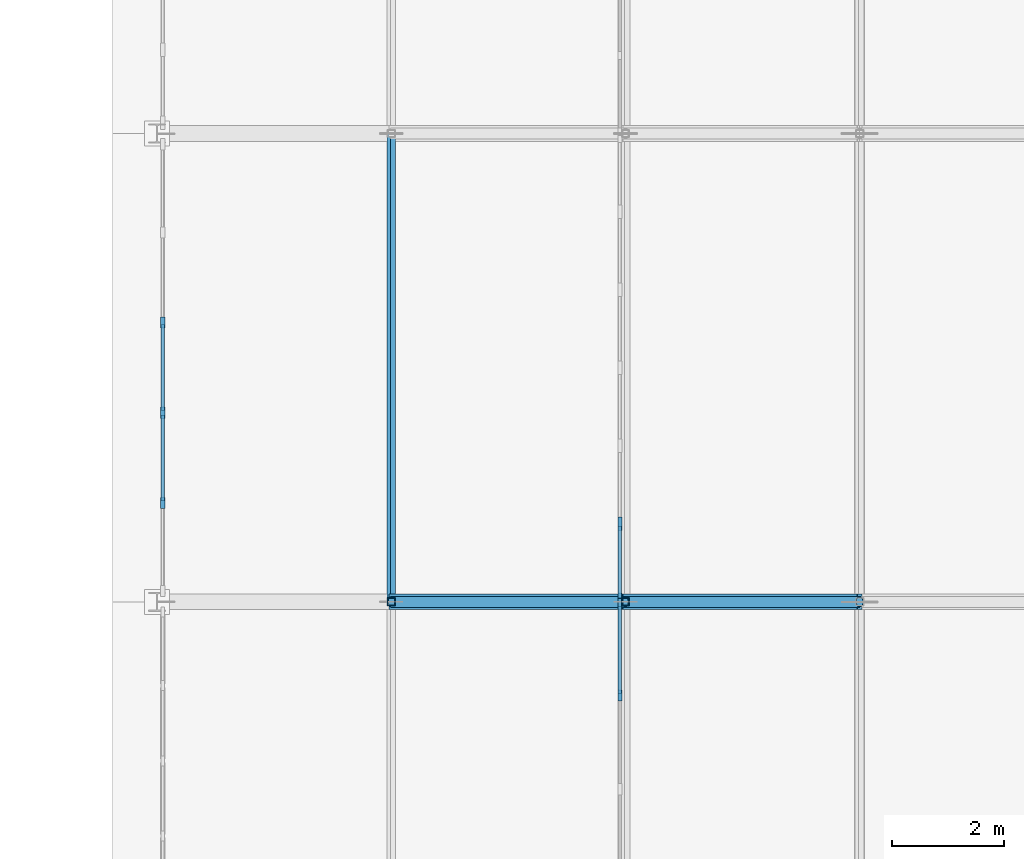
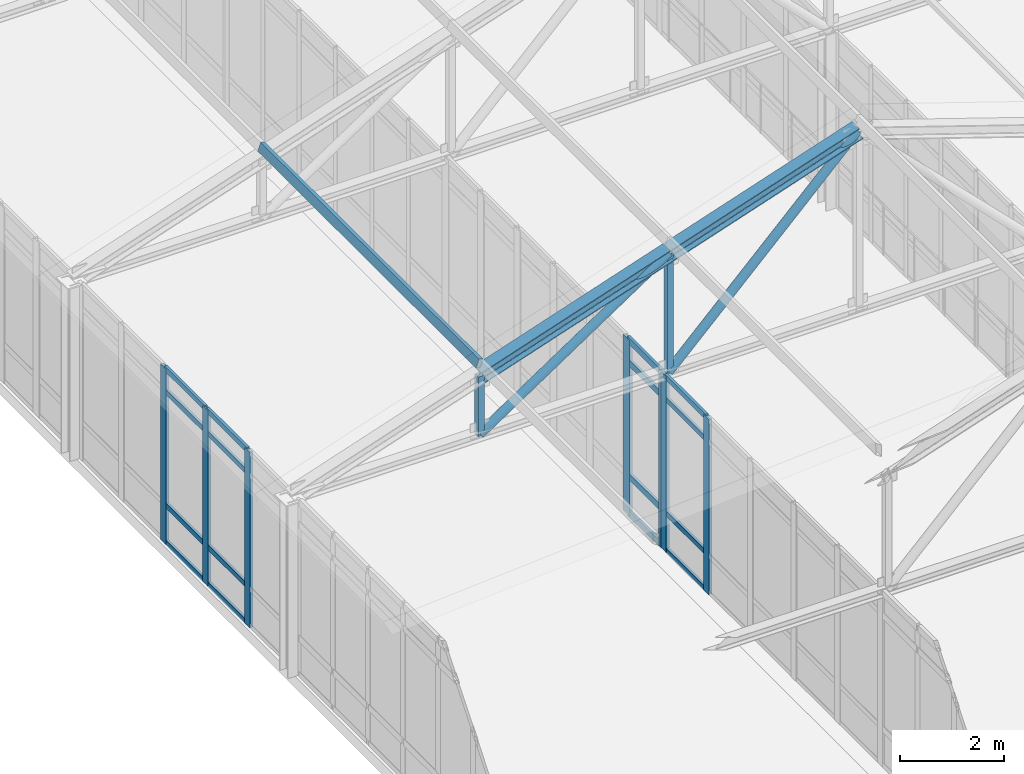
# One storey, part 50 of 192: 30 members, 3 elements without a shape of their own.
"""IFC4 building model written with IfcOpenShell, lengths in metres."""

from ifc_helpers import new_model, si_unit, direction, frame, origin, origin_2d, place, context, subcontext, project, spatial, rectangle, hollow_rectangle, hollow_circle, i_section, extrude, material, layer, layer_set, material_profile, profile_set, type_object, element, aggregate, save


model = new_model("IFC4")

# Units and contexts
model_context = context("Model", 3, precision=1e-05, world=origin(), true_north=direction((0.0, 1.0)))
body_context = subcontext(model_context, "Body", "Model", "MODEL_VIEW")
ifc_project = project(units=[si_unit("LENGTHUNIT", "METRE"), si_unit("AREAUNIT", "SQUARE_METRE"), si_unit("VOLUMEUNIT", "CUBIC_METRE"), si_unit("PLANEANGLEUNIT", "RADIAN"), si_unit("MASSUNIT", "GRAM", prefix="KILO")], contexts=[model_context])

# Site, building, storey
site_placement = place(None, origin())
site = spatial("IfcSite", under=ifc_project, at=site_placement, CompositionType="ELEMENT")
building_placement = place(site_placement, origin())
building = spatial("IfcBuilding", under=site, at=building_placement, Name="Kveldsbrygga Polytechnic", CompositionType="ELEMENT")
storey_placement = place(building_placement, frame((0.0, 0.0, 5.43994140625)))
storey = spatial("IfcBuildingStorey", under=building, at=storey_placement, Name="L01", CompositionType="ELEMENT", Elevation=5.43994140625)

# Curtain wall, members
ifc_material_1 = material(Name="Anodised aluminium AW-6060", Category="aluminium")
ifc_layer_1 = layer(ifc_material_1, 0.18994140625)
ifc_layer_set_1 = layer_set([ifc_layer_1], Name="Anodised aluminium AW-6060")
curtain_wall_type_1 = type_object("IfcCurtainWallType", Name="CW-REFC-G", PredefinedType="USERDEFINED", material=ifc_layer_set_1)
curtain_wall_1_placement = place(storey_placement, origin())
curtain_wall_1 = element("IfcCurtainWall", 1, at=curtain_wall_1_placement, inside=storey, type_object=curtain_wall_type_1, Name="Curtain Wall CW-L01-Y-07-05", ObjectType="UNITISED CURTAIN WALL", PredefinedType="USERDEFINED")
ifc_material_profile_1 = material_profile(ifc_material_1, rectangle(XDim=0.074951171875, YDim=0.199951171875, at=origin_2d()), Name="ALU 75x200")
ifc_profile_set_1 = profile_set([ifc_material_profile_1], Name="Anodised aluminium AW-6060")
member_type_1 = type_object("IfcMemberType", Name="CW-MUL-200", PredefinedType="MULLION", material=ifc_profile_set_1)
member_1_placement = place(storey_placement, frame((58.699951171875, 48.719970703125, 0.0), z_axis=(0.0, 0.0, 1.0), x_axis=(-1.0, 0.0, 0.0)))
member_1 = element("IfcMember", 2, at=member_1_placement, type_object=member_type_1, Name="CW-07 mullion 5", PredefinedType="MULLION", context=body_context, shape_type="SweptSolid", body=[
    extrude(rectangle(XDim=0.074951171875, YDim=0.199951171875, at=origin_2d()), origin(), (0.0, 0.0, 1.0), 4.1201171875),
])
member_2_placement = place(storey_placement, frame((58.699951171875, 50.362548828125, 0.0), z_axis=(0.0, 0.0, 1.0), x_axis=(-1.0, 0.0, 0.0)))
member_2 = element("IfcMember", 3, at=member_2_placement, type_object=member_type_1, Name="CW-07 mullion 6", PredefinedType="MULLION", context=body_context, shape_type="SweptSolid", body=[
    extrude(rectangle(XDim=0.074951171875, YDim=0.199951171875, at=origin_2d()), origin(), (0.0, 0.0, 1.0), 4.1201171875),
])

curtain_wall_2_placement = place(storey_placement, origin())
curtain_wall_2 = element("IfcCurtainWall", 4, at=curtain_wall_2_placement, inside=storey, type_object=curtain_wall_type_1, Name="Curtain Wall CW-L01-Y-06-06", ObjectType="UNITISED CURTAIN WALL", PredefinedType="USERDEFINED")
member_3_placement = place(storey_placement, frame((50.5, 52.173095703125, 0.0), z_axis=(0.0, 0.0, 1.0), x_axis=(-1.0, 0.0, 0.0)))
member_3 = element("IfcMember", 5, at=member_3_placement, type_object=member_type_1, Name="CW-07 mullion 2", PredefinedType="MULLION", context=body_context, shape_type="SweptSolid", body=[
    extrude(rectangle(XDim=0.074951171875, YDim=0.199951171875, at=origin_2d()), origin(), (0.0, 0.0, 1.0), 4.1201171875),
])
member_4_placement = place(storey_placement, frame((50.5, 53.791015625, 0.0), z_axis=(0.0, 0.0, 1.0), x_axis=(-1.0, 0.0, 0.0)))
member_4 = element("IfcMember", 6, at=member_4_placement, type_object=member_type_1, Name="CW-07 mullion 3", PredefinedType="MULLION", context=body_context, shape_type="SweptSolid", body=[
    extrude(rectangle(XDim=0.074951171875, YDim=0.199951171875, at=origin_2d()), origin(), (0.0, 0.0, 1.0), 4.1201171875),
])
member_5_placement = place(storey_placement, frame((50.5, 55.408935546875, 0.0), z_axis=(0.0, 0.0, 1.0), x_axis=(-1.0, 0.0, 0.0)))
member_5 = element("IfcMember", 7, at=member_5_placement, type_object=member_type_1, Name="CW-07 mullion 4", PredefinedType="MULLION", context=body_context, shape_type="SweptSolid", body=[
    extrude(rectangle(XDim=0.074951171875, YDim=0.199951171875, at=origin_2d()), origin(), (0.0, 0.0, 1.0), 4.1201171875),
])

ifc_layer_2 = layer(ifc_material_1, 0.2099609375)
ifc_layer_set_2 = layer_set([ifc_layer_2], Name="Anodised aluminium AW-6060")
curtain_wall_type_2 = type_object("IfcCurtainWallType", Name="CW-LIBR-H", PredefinedType="USERDEFINED", material=ifc_layer_set_2)
curtain_wall_3_placement = place(storey_placement, origin())
curtain_wall_3 = element("IfcCurtainWall", 8, at=curtain_wall_3_placement, inside=storey, type_object=curtain_wall_type_2, Name="Curtain Wall CW-L01-Y-07-06", ObjectType="UNITISED CURTAIN WALL", PredefinedType="USERDEFINED")
ifc_material_profile_2 = material_profile(ifc_material_1, rectangle(XDim=0.074951171875, YDim=0.239990234375, at=origin_2d()), Name="ALU 75x240")
ifc_profile_set_2 = profile_set([ifc_material_profile_2], Name="Anodised aluminium AW-6060")
member_type_2 = type_object("IfcMemberType", Name="CW-MUL-240", PredefinedType="MULLION", material=ifc_profile_set_2)
member_6_placement = place(storey_placement, frame((58.699951171875, 50.4375, 0.0), z_axis=(0.0, 0.0, 1.0), x_axis=(-1.0, 0.0, 0.0)))
member_6 = element("IfcMember", 9, at=member_6_placement, type_object=member_type_2, Name="CW-08 mullion 1", PredefinedType="MULLION", context=body_context, shape_type="SweptSolid", body=[
    extrude(rectangle(XDim=0.074951171875, YDim=0.239990234375, at=origin_2d()), origin(), (0.0, 0.0, 1.0), 4.1201171875),
])
member_7_placement = place(storey_placement, frame((58.699951171875, 51.800048828125, 0.0), z_axis=(0.0, 0.0, 1.0), x_axis=(-1.0, 0.0, 0.0)))
member_7 = element("IfcMember", 10, at=member_7_placement, type_object=member_type_2, Name="CW-08 mullion 2", PredefinedType="MULLION", context=body_context, shape_type="SweptSolid", body=[
    extrude(rectangle(XDim=0.074951171875, YDim=0.239990234375, at=origin_2d()), origin(), (0.0, 0.0, 1.0), 4.1201171875),
])

# Member
ifc_material_profile_3 = material_profile(ifc_material_1, rectangle(XDim=0.06005859375, YDim=0.1201171875, at=origin_2d()), Name="ALU 60x120")
ifc_profile_set_3 = profile_set([ifc_material_profile_3], Name="Anodised aluminium AW-6060")
member_type_3 = type_object("IfcMemberType", Name="CW-TRN-120", PredefinedType="USERDEFINED", material=ifc_profile_set_3)
member_8_placement = place(storey_placement, frame((58.699951171875, 48.757568359375, 0.030029296875), z_axis=(0.0, 1.0, 0.0), x_axis=(-1.0, 0.0, 0.0)))
member_8 = element("IfcMember", 11, at=member_8_placement, type_object=member_type_3, Name="CW-07 transom 5.1", ObjectType="TRANSOM", PredefinedType="USERDEFINED", context=body_context, shape_type="SweptSolid", body=[
    extrude(rectangle(XDim=0.06005859375, YDim=0.1201171875, at=origin_2d()), origin(), (0.0, 0.0, 1.0), 1.5673828125),
])

member_9_placement = place(storey_placement, frame((58.699951171875, 48.757568359375, 0.900146484375), z_axis=(0.0, 1.0, 0.0), x_axis=(-1.0, 0.0, 0.0)))
member_9 = element("IfcMember", 12, at=member_9_placement, type_object=member_type_3, Name="CW-07 transom 5.2", ObjectType="TRANSOM", PredefinedType="USERDEFINED", context=body_context, shape_type="SweptSolid", body=[
    extrude(rectangle(XDim=0.06005859375, YDim=0.1201171875, at=origin_2d()), origin(), (0.0, 0.0, 1.0), 1.5673828125),
])

member_10_placement = place(storey_placement, frame((58.699951171875, 48.757568359375, 3.570068359375), z_axis=(0.0, 1.0, 0.0), x_axis=(-1.0, 0.0, 0.0)))
member_10 = element("IfcMember", 13, at=member_10_placement, type_object=member_type_3, Name="CW-07 transom 5.3", ObjectType="TRANSOM", PredefinedType="USERDEFINED", context=body_context, shape_type="SweptSolid", body=[
    extrude(rectangle(XDim=0.06005859375, YDim=0.1201171875, at=origin_2d()), origin(), (0.0, 0.0, 1.0), 1.5673828125),
])

member_11_placement = place(storey_placement, frame((58.699951171875, 48.757568359375, 4.090087890625), z_axis=(0.0, 1.0, 0.0), x_axis=(-1.0, 0.0, 0.0)))
member_11 = element("IfcMember", 14, at=member_11_placement, type_object=member_type_3, Name="CW-07 transom 5.4", ObjectType="TRANSOM", PredefinedType="USERDEFINED", context=body_context, shape_type="SweptSolid", body=[
    extrude(rectangle(XDim=0.06005859375, YDim=0.1201171875, at=origin_2d()), origin(), (0.0, 0.0, 1.0), 1.5673828125),
])

aggregate(curtain_wall_1, [member_1, member_2, member_8, member_9, member_10, member_11])

member_12_placement = place(storey_placement, frame((50.5, 52.21044921875, 0.030029296875), z_axis=(0.0, 1.0, 0.0), x_axis=(-1.0, 0.0, 0.0)))
member_12 = element("IfcMember", 15, at=member_12_placement, type_object=member_type_3, Name="CW-07 transom 2.1", ObjectType="TRANSOM", PredefinedType="USERDEFINED", context=body_context, shape_type="SweptSolid", body=[
    extrude(rectangle(XDim=0.06005859375, YDim=0.1201171875, at=origin_2d()), origin(), (0.0, 0.0, 1.0), 1.54296875),
])

member_13_placement = place(storey_placement, frame((50.5, 52.21044921875, 0.900146484375), z_axis=(0.0, 1.0, 0.0), x_axis=(-1.0, 0.0, 0.0)))
member_13 = element("IfcMember", 16, at=member_13_placement, type_object=member_type_3, Name="CW-07 transom 2.2", ObjectType="TRANSOM", PredefinedType="USERDEFINED", context=body_context, shape_type="SweptSolid", body=[
    extrude(rectangle(XDim=0.06005859375, YDim=0.1201171875, at=origin_2d()), origin(), (0.0, 0.0, 1.0), 1.54296875),
])

member_14_placement = place(storey_placement, frame((50.5, 52.21044921875, 3.570068359375), z_axis=(0.0, 1.0, 0.0), x_axis=(-1.0, 0.0, 0.0)))
member_14 = element("IfcMember", 17, at=member_14_placement, type_object=member_type_3, Name="CW-07 transom 2.3", ObjectType="TRANSOM", PredefinedType="USERDEFINED", context=body_context, shape_type="SweptSolid", body=[
    extrude(rectangle(XDim=0.06005859375, YDim=0.1201171875, at=origin_2d()), origin(), (0.0, 0.0, 1.0), 1.54296875),
])

member_15_placement = place(storey_placement, frame((50.5, 52.21044921875, 4.090087890625), z_axis=(0.0, 1.0, 0.0), x_axis=(-1.0, 0.0, 0.0)))
member_15 = element("IfcMember", 18, at=member_15_placement, type_object=member_type_3, Name="CW-07 transom 2.4", ObjectType="TRANSOM", PredefinedType="USERDEFINED", context=body_context, shape_type="SweptSolid", body=[
    extrude(rectangle(XDim=0.06005859375, YDim=0.1201171875, at=origin_2d()), origin(), (0.0, 0.0, 1.0), 1.54296875),
])

member_16_placement = place(storey_placement, frame((50.5, 53.82861328125, 0.030029296875), z_axis=(0.0, 1.0, 0.0), x_axis=(-1.0, 0.0, 0.0)))
member_16 = element("IfcMember", 19, at=member_16_placement, type_object=member_type_3, Name="CW-07 transom 3.1", ObjectType="TRANSOM", PredefinedType="USERDEFINED", context=body_context, shape_type="SweptSolid", body=[
    extrude(rectangle(XDim=0.06005859375, YDim=0.1201171875, at=origin_2d()), origin(), (0.0, 0.0, 1.0), 1.54296875),
])

member_17_placement = place(storey_placement, frame((50.5, 53.82861328125, 0.900146484375), z_axis=(0.0, 1.0, 0.0), x_axis=(-1.0, 0.0, 0.0)))
member_17 = element("IfcMember", 20, at=member_17_placement, type_object=member_type_3, Name="CW-07 transom 3.2", ObjectType="TRANSOM", PredefinedType="USERDEFINED", context=body_context, shape_type="SweptSolid", body=[
    extrude(rectangle(XDim=0.06005859375, YDim=0.1201171875, at=origin_2d()), origin(), (0.0, 0.0, 1.0), 1.54296875),
])

member_18_placement = place(storey_placement, frame((50.5, 53.82861328125, 3.570068359375), z_axis=(0.0, 1.0, 0.0), x_axis=(-1.0, 0.0, 0.0)))
member_18 = element("IfcMember", 21, at=member_18_placement, type_object=member_type_3, Name="CW-07 transom 3.3", ObjectType="TRANSOM", PredefinedType="USERDEFINED", context=body_context, shape_type="SweptSolid", body=[
    extrude(rectangle(XDim=0.06005859375, YDim=0.1201171875, at=origin_2d()), origin(), (0.0, 0.0, 1.0), 1.54296875),
])

member_19_placement = place(storey_placement, frame((50.5, 53.82861328125, 4.090087890625), z_axis=(0.0, 1.0, 0.0), x_axis=(-1.0, 0.0, 0.0)))
member_19 = element("IfcMember", 22, at=member_19_placement, type_object=member_type_3, Name="CW-07 transom 3.4", ObjectType="TRANSOM", PredefinedType="USERDEFINED", context=body_context, shape_type="SweptSolid", body=[
    extrude(rectangle(XDim=0.06005859375, YDim=0.1201171875, at=origin_2d()), origin(), (0.0, 0.0, 1.0), 1.54296875),
])

aggregate(curtain_wall_2, [member_3, member_4, member_5, member_12, member_13, member_14, member_15, member_16, member_17, member_18, member_19])

ifc_material_profile_4 = material_profile(ifc_material_1, rectangle(XDim=0.06005859375, YDim=0.14990234375, at=origin_2d()), Name="ALU 60x150")
ifc_profile_set_4 = profile_set([ifc_material_profile_4], Name="Anodised aluminium AW-6060")
member_type_4 = type_object("IfcMemberType", Name="CW-TRN-150", PredefinedType="USERDEFINED", material=ifc_profile_set_4)
member_20_placement = place(storey_placement, frame((58.699951171875, 50.47509765625, 0.030029296875), z_axis=(0.0, 1.0, 0.0), x_axis=(-1.0, 0.0, 0.0)))
member_20 = element("IfcMember", 23, at=member_20_placement, type_object=member_type_4, Name="CW-08 transom 1.1", ObjectType="TRANSOM", PredefinedType="USERDEFINED", context=body_context, shape_type="SweptSolid", body=[
    extrude(rectangle(XDim=0.06005859375, YDim=0.14990234375, at=origin_2d()), origin(), (0.0, 0.0, 1.0), 1.287353515625),
])

member_21_placement = place(storey_placement, frame((58.699951171875, 50.47509765625, 0.900146484375), z_axis=(0.0, 1.0, 0.0), x_axis=(-1.0, 0.0, 0.0)))
member_21 = element("IfcMember", 24, at=member_21_placement, type_object=member_type_4, Name="CW-08 transom 1.2", ObjectType="TRANSOM", PredefinedType="USERDEFINED", context=body_context, shape_type="SweptSolid", body=[
    extrude(rectangle(XDim=0.06005859375, YDim=0.14990234375, at=origin_2d()), origin(), (0.0, 0.0, 1.0), 1.287353515625),
])

member_22_placement = place(storey_placement, frame((58.699951171875, 50.47509765625, 3.570068359375), z_axis=(0.0, 1.0, 0.0), x_axis=(-1.0, 0.0, 0.0)))
member_22 = element("IfcMember", 25, at=member_22_placement, type_object=member_type_4, Name="CW-08 transom 1.3", ObjectType="TRANSOM", PredefinedType="USERDEFINED", context=body_context, shape_type="SweptSolid", body=[
    extrude(rectangle(XDim=0.06005859375, YDim=0.14990234375, at=origin_2d()), origin(), (0.0, 0.0, 1.0), 1.287353515625),
])

member_23_placement = place(storey_placement, frame((58.699951171875, 50.47509765625, 4.090087890625), z_axis=(0.0, 1.0, 0.0), x_axis=(-1.0, 0.0, 0.0)))
member_23 = element("IfcMember", 26, at=member_23_placement, type_object=member_type_4, Name="CW-08 transom 1.4", ObjectType="TRANSOM", PredefinedType="USERDEFINED", context=body_context, shape_type="SweptSolid", body=[
    extrude(rectangle(XDim=0.06005859375, YDim=0.14990234375, at=origin_2d()), origin(), (0.0, 0.0, 1.0), 1.287353515625),
])

aggregate(curtain_wall_3, [member_6, member_7, member_20, member_21, member_22, member_23])

# Members
ifc_material_2 = material(Name="Steel S355", Category="steel")
ifc_material_profile_5 = material_profile(ifc_material_2, hollow_rectangle(XDim=0.10009765625, YDim=0.199951171875, WallThickness=0.010009765625, at=origin_2d()), Name="RHS 200x100x10.0")
ifc_profile_set_5 = profile_set([ifc_material_profile_5], Name="Steel S355")
member_type_5 = type_object("IfcMemberType", Name="PRL-RHS200", PredefinedType="PURLIN", material=ifc_profile_set_5)
member_24_placement = place(storey_placement, frame((54.60009765625, 50.39990234375, 5.77294921875), z_axis=(0.0, 1.0, 0.0), x_axis=(-0.948683567514, 0.0, 0.316226957624)))
element("IfcMember", 27, at=member_24_placement, inside=storey, type_object=member_type_5, Name="Roof Purlin V5C-PRL-6-1", PredefinedType="PURLIN", context=body_context, shape_type="SweptSolid", body=[
    extrude(hollow_rectangle(XDim=0.10009765625, YDim=0.199951171875, WallThickness=0.010009765625, at=origin_2d()), origin(), (0.0, 0.0, 1.0), 8.400146484375),
])
ifc_material_profile_6 = material_profile(ifc_material_2, hollow_circle(Radius=0.096923828125, WallThickness=0.010009765625, at=origin_2d()), Name="CHS 193.7x10.0")
ifc_profile_set_6 = profile_set([ifc_material_profile_6], Name="Steel S355")
member_type_6 = type_object("IfcMemberType", Name="TR-DIAG-CHS194", PredefinedType="BRACE", material=ifc_profile_set_6)
member_25_placement = place(storey_placement, frame((54.60009765625, 50.39990234375, 4.1201171875), z_axis=(0.832042853317, 0.0, 0.554711357594), x_axis=(0.0, 1.0, 0.0)))
element("IfcMember", 28, at=member_25_placement, inside=storey, type_object=member_type_6, Name="Truss Diagonal V5C-T06-DG-2", PredefinedType="BRACE", context=body_context, shape_type="SweptSolid", body=[
    extrude(hollow_circle(Radius=0.096923828125, WallThickness=0.010009765625, at=origin_2d()), origin(), (0.0, 0.0, 1.0), 5.0478515625),
])
member_26_placement = place(storey_placement, frame((58.800048828125, 50.39990234375, 4.1201171875), z_axis=(0.707106781187, 0.0, 0.707106781187), x_axis=(0.0, 1.0, 0.0)))
element("IfcMember", 29, at=member_26_placement, inside=storey, type_object=member_type_6, Name="Truss Diagonal V5C-T06-DG-3", PredefinedType="BRACE", context=body_context, shape_type="SweptSolid", body=[
    extrude(hollow_circle(Radius=0.096923828125, WallThickness=0.010009765625, at=origin_2d()), origin(), (0.0, 0.0, 1.0), 5.939697265625),
])
ifc_material_profile_7 = material_profile(ifc_material_2, hollow_rectangle(XDim=0.139892578125, YDim=0.139892578125, WallThickness=0.008056640625, at=origin_2d()), Name="SHS 140x140x8.0")
ifc_profile_set_7 = profile_set([ifc_material_profile_7], Name="Steel S355")
member_type_7 = type_object("IfcMemberType", Name="TR-POST-SHS140", PredefinedType="STRUT", material=ifc_profile_set_7)
member_27_placement = place(storey_placement, frame((54.60009765625, 50.39990234375, 4.1201171875), z_axis=(0.0, 0.0, 1.0), x_axis=(1.0, 0.0, 0.0)))
element("IfcMember", 30, at=member_27_placement, inside=storey, type_object=member_type_7, Name="Truss Vertical V5C-T06-VT-1", PredefinedType="STRUT", context=body_context, shape_type="SweptSolid", body=[
    extrude(hollow_rectangle(XDim=0.139892578125, YDim=0.139892578125, WallThickness=0.008056640625, at=origin_2d()), origin(), (0.0, 0.0, 1.0), 1.39990234375),
])
member_28_placement = place(storey_placement, frame((58.800048828125, 50.39990234375, 4.1201171875), z_axis=(0.0, 0.0, 1.0), x_axis=(1.0, 0.0, 0.0)))
element("IfcMember", 31, at=member_28_placement, inside=storey, type_object=member_type_7, Name="Truss Vertical V5C-T06-VT-2", PredefinedType="STRUT", context=body_context, shape_type="SweptSolid", body=[
    extrude(hollow_rectangle(XDim=0.139892578125, YDim=0.139892578125, WallThickness=0.008056640625, at=origin_2d()), origin(), (0.0, 0.0, 1.0), 2.800048828125),
])
ifc_material_profile_8 = material_profile(ifc_material_2, i_section(OverallWidth=0.280029296875, OverallDepth=0.280029296875, WebThickness=0.010498046875, FlangeThickness=0.01806640625, FilletRadius=0.02392578125, at=origin_2d()), Name="HEB 280")
ifc_profile_set_8 = profile_set([ifc_material_profile_8], Name="Steel S355")
member_type_8 = type_object("IfcMemberType", Name="TR-TOP-HEB280", PredefinedType="CHORD", material=ifc_profile_set_8)
member_29_placement = place(storey_placement, frame((54.60009765625, 50.39990234375, 5.52001953125), z_axis=(0.948672268324, 0.0, 0.316260853272), x_axis=(0.0, 1.0, 0.0)))
element("IfcMember", 32, at=member_29_placement, inside=storey, type_object=member_type_8, Name="Truss Top Chord V5C-T06-TC-2", PredefinedType="CHORD", context=body_context, shape_type="SweptSolid", body=[
    extrude(i_section(OverallWidth=0.280029296875, OverallDepth=0.280029296875, WebThickness=0.010498046875, FlangeThickness=0.01806640625, FilletRadius=0.02392578125, at=origin_2d()), origin(), (0.0, 0.0, 1.0), 4.42724609375),
])
member_30_placement = place(storey_placement, frame((58.800048828125, 50.39990234375, 6.920166015625), z_axis=(0.948688812577, 0.0, 0.316211221956), x_axis=(0.0, 1.0, 0.0)))
element("IfcMember", 33, at=member_30_placement, inside=storey, type_object=member_type_8, Name="Truss Top Chord V5C-T06-TC-3", PredefinedType="CHORD", context=body_context, shape_type="SweptSolid", body=[
    extrude(i_section(OverallWidth=0.280029296875, OverallDepth=0.280029296875, WebThickness=0.010498046875, FlangeThickness=0.01806640625, FilletRadius=0.02392578125, at=origin_2d()), origin(), (0.0, 0.0, 1.0), 4.427001953125),
])

save(model, "model.ifc")
